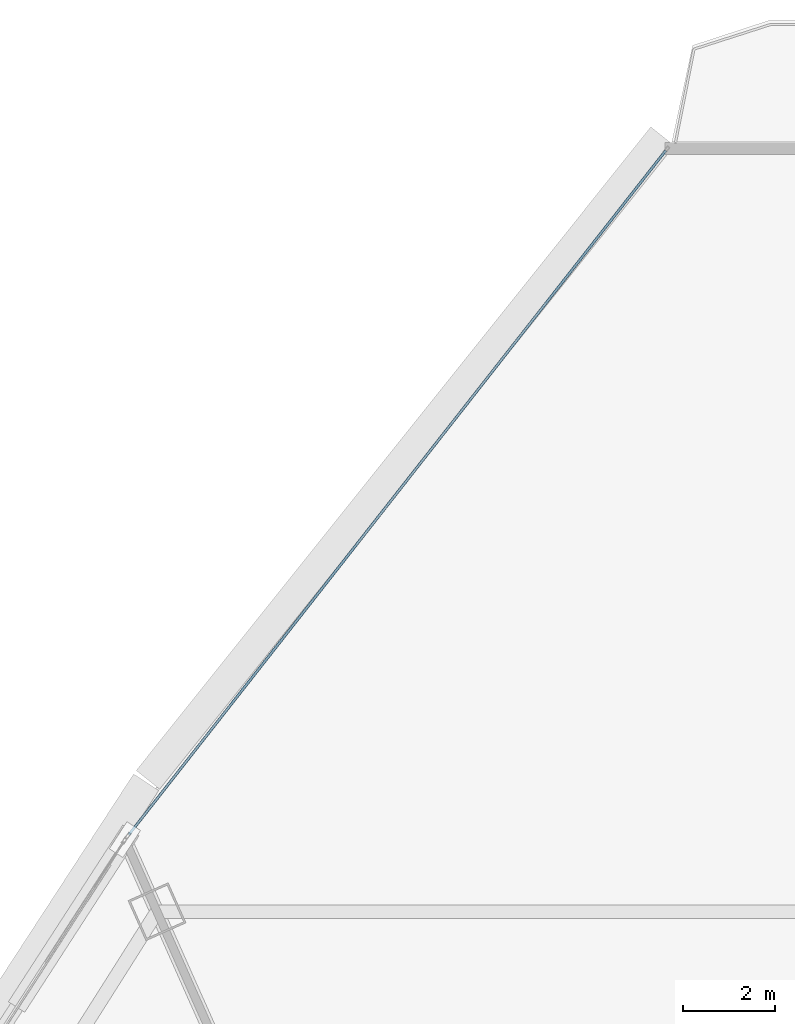
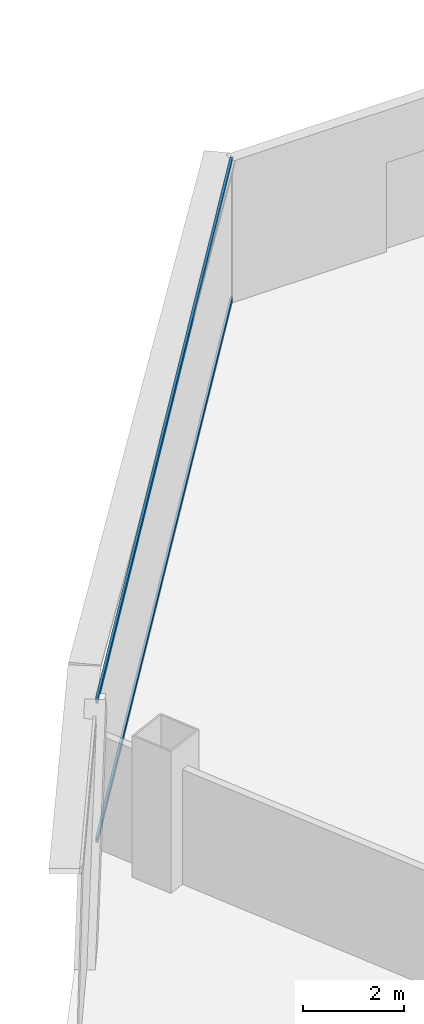
# One storey, part 28 of 39: 2 members, 1 element without a shape of its own.
"""IFC4 building model written with IfcOpenShell, lengths in metres."""

from ifc_helpers import new_model, si_unit, direction, frame, origin, origin_2d, place, context, subcontext, project, spatial, hollow_rectangle, extrude, source, transform, mapped, material, layer, layer_set, material_profile, profile_set, type_object, element, aggregate, save


model = new_model("IFC4")

# Units and contexts
model_context = context("Model", 3, precision=1e-05, world=origin(), true_north=direction((0.0, 1.0)))
body_context = subcontext(model_context, "Body", "Model", "MODEL_VIEW")
ifc_project = project(units=[si_unit("LENGTHUNIT", "METRE"), si_unit("AREAUNIT", "SQUARE_METRE"), si_unit("VOLUMEUNIT", "CUBIC_METRE"), si_unit("PLANEANGLEUNIT", "RADIAN"), si_unit("MASSUNIT", "GRAM", prefix="KILO"), si_unit("THERMODYNAMICTEMPERATUREUNIT", "KELVIN"), si_unit("POWERUNIT", "WATT")], contexts=[model_context])

# Site, building, storey
site_placement = place(None, origin())
site = spatial("IfcSite", under=ifc_project, at=site_placement, CompositionType="ELEMENT")
building_placement = place(site_placement, origin())
building = spatial("IfcBuilding", under=site, at=building_placement, Name="Yunzhuo Pagoda Commons", CompositionType="ELEMENT")
storey_placement = place(building_placement, frame((0.0, 0.0, 140.8701171875)))
storey = spatial("IfcBuildingStorey", under=building, at=storey_placement, Name="L35", CompositionType="ELEMENT", Elevation=140.8701171875)

# Curtain wall, members
ifc_material = material(Name="Anodized aluminium 6063-T6", Category="aluminium")
ifc_layer = layer(ifc_material, 0.14990234375)
ifc_layer_set = layer_set([ifc_layer], Name="Anodized aluminium 6063-T6")
curtain_wall_type = type_object("IfcCurtainWallType", Name="CW-MID Mid-Zone Ribbon Curtain Wall", PredefinedType="NOTDEFINED", material=ifc_layer_set)
curtain_wall_placement = place(storey_placement, origin())
curtain_wall = element("IfcCurtainWall", 1, at=curtain_wall_placement, inside=storey, type_object=curtain_wall_type, Name="L35 curtain wall CW-L35-F3B1", PredefinedType="NOTDEFINED")
ifc_material_profile = material_profile(ifc_material, hollow_rectangle(XDim=0.054931640625, YDim=0.1298828125, WallThickness=0.00341796875, at=origin_2d()), Name="Anodized aluminium 6063-T6")
ifc_profile_set = profile_set([ifc_material_profile], Name="Anodized aluminium 6063-T6")
member_type = type_object("IfcMemberType", Name="CW-MID-T Transom RHS 130x55x3.5", PredefinedType="USERDEFINED", material=ifc_profile_set)
shared_shape = source(origin(), body_context, "Body", "SweptSolid", [
    extrude(hollow_rectangle(XDim=0.054931640625, YDim=0.1298828125, WallThickness=0.00341796875, at=origin_2d()), origin(), (0.0, 0.0, 1.0), 18.82861328125),
])
member_1_placement = place(storey_placement, frame((43.60693359375, 84.781005859375, 0.02734375), z_axis=(-0.617384524017, -0.786661521561, 0.0), x_axis=(0.786661521561, -0.617384524017, 0.0)))
member_1 = element("IfcMember", 2, at=member_1_placement, type_object=member_type, Name="CW transom 1.1", ObjectType="TRANSOM", PredefinedType="USERDEFINED", context=body_context, shape_type="MappedRepresentation", body=[
    mapped(shared_shape, transform((0.0, 0.0, 0.0), scale=1.0)),
])
member_2_placement = place(storey_placement, frame((43.60693359375, 84.781005859375, 3.392333984375), z_axis=(-0.617384524017, -0.786661521561, 0.0), x_axis=(0.786661521561, -0.617384524017, 0.0)))
member_2 = element("IfcMember", 3, at=member_2_placement, type_object=member_type, Name="CW transom 1.2", ObjectType="TRANSOM", PredefinedType="USERDEFINED", context=body_context, shape_type="MappedRepresentation", body=[
    mapped(shared_shape, transform((0.0, 0.0, 0.0), scale=1.0)),
])
aggregate(curtain_wall, [member_1, member_2])

save(model, "model.ifc")
